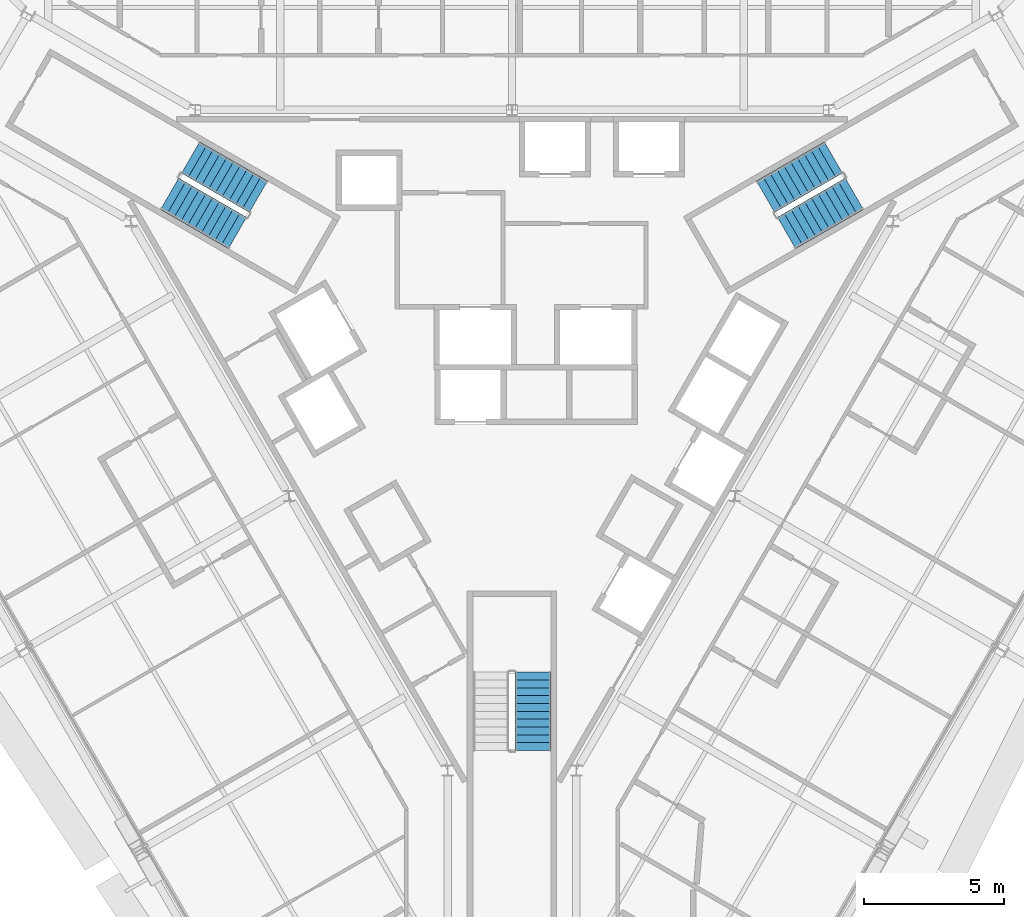
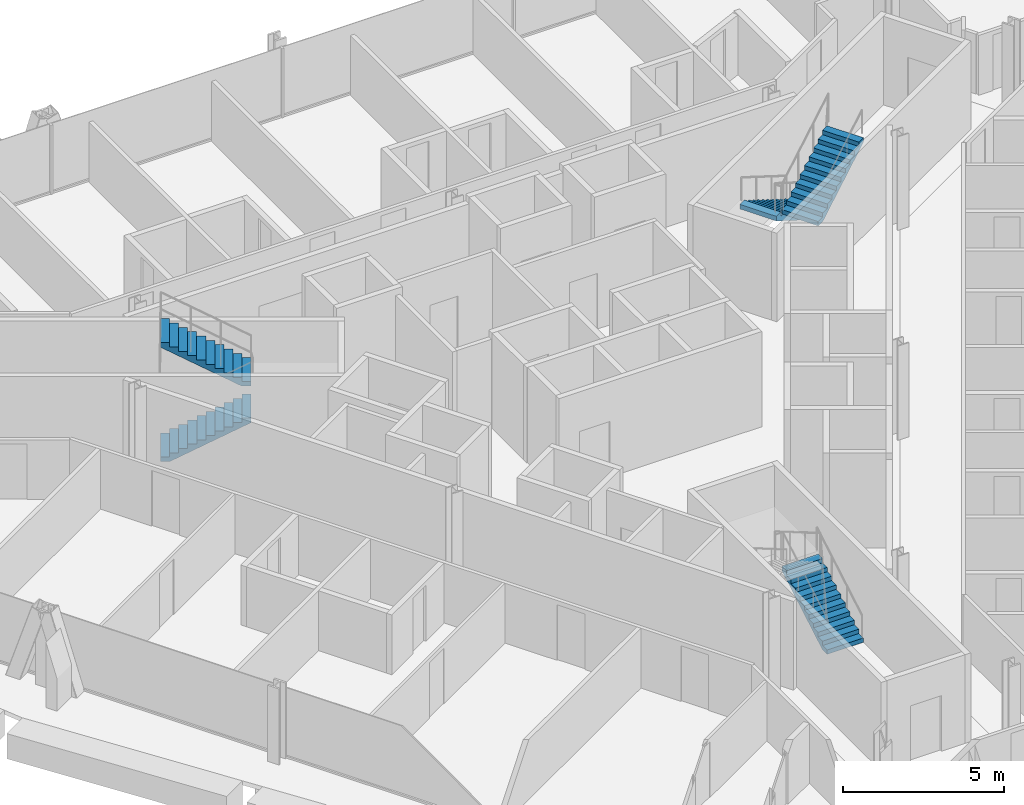
# One storey, part 15 of 17: 5 stair flights, 3 elements without a shape of their own.
"""IFC4 building model written with IfcOpenShell, lengths in metres."""

from ifc_helpers import new_model, si_unit, direction, frame, origin, place, context, subcontext, project, spatial, polyline, outline, extrude, material, type_object, element, aggregate, save


model = new_model("IFC4")

# Units and contexts
model_context = context("Model", 3, precision=1e-05, world=origin(), true_north=direction((0.0, 1.0)))
body_context = subcontext(model_context, "Body", "Model", "MODEL_VIEW")
ifc_project = project(units=[si_unit("LENGTHUNIT", "METRE"), si_unit("AREAUNIT", "SQUARE_METRE"), si_unit("VOLUMEUNIT", "CUBIC_METRE"), si_unit("PLANEANGLEUNIT", "RADIAN"), si_unit("MASSUNIT", "GRAM", prefix="KILO")], contexts=[model_context])

# Site, building, storey
site_placement = place(None, origin())
site = spatial("IfcSite", under=ifc_project, at=site_placement, CompositionType="ELEMENT")
building_placement = place(site_placement, origin())
building = spatial("IfcBuilding", under=site, at=building_placement, Name="Verrane Prism Tower", CompositionType="ELEMENT")
storey_placement = place(building_placement, frame((0.0, 0.0, 139.60009765625)))
storey = spatial("IfcBuildingStorey", under=building, at=storey_placement, Name="L34", CompositionType="ELEMENT", Elevation=139.60009765625)

# Stair, stair flights
ifc_material_1 = material(Name="Concrete C40/50", Category="concrete")
stair_type = type_object("IfcStairType", Name="Exit stair 1300 dog-leg precast concrete C40/50", PredefinedType="HALF_TURN_STAIR", material=ifc_material_1)
stair_1_placement = place(storey_placement, origin())
stair_1 = element("IfcStair", 1, at=stair_1_placement, inside=storey, type_object=stair_type, Name="Stair 1 L34", PredefinedType="HALF_TURN_STAIR")
ifc_material_2 = material(Name="Concrete C40/50", Category="concrete")
stair_flight_type = type_object("IfcStairFlightType", Name="Stair flight 1300 precast concrete C40/50", PredefinedType="STRAIGHT", material=ifc_material_2)
stair_flight_1_placement = place(storey_placement, frame((11.489501953125, 7.49951171875, 0.0), z_axis=(0.0, 0.0, 1.0), x_axis=(-0.866025403784, -0.5, 0.0)))
stair_flight_1 = element("IfcStairFlight", 2, at=stair_flight_1_placement, type_object=stair_flight_type, Name="Stair 1 flight 1", NumberOfRisers=11, NumberOfTreads=10, PredefinedType="STRAIGHT", RiserHeight=0.163636364, TreadLength=0.28, context=body_context, shape_type="SweptSolid", body=[
    extrude(outline(polyline([(0.0, 0.0), (0.0, 0.16357421875), (0.280029296875, 0.16357421875), (0.280029296875, 0.327392578125), (0.56005859375, 0.327392578125), (0.56005859375, 0.490966796875), (0.840087890625, 0.490966796875), (0.840087890625, 0.654541015625), (1.1201171875, 0.654541015625), (1.1201171875, 0.818115234375), (1.39990234375, 0.818115234375), (1.39990234375, 0.98193359375), (1.679931640625, 0.98193359375), (1.679931640625, 1.1455078125), (1.9599609375, 1.1455078125), (1.9599609375, 1.30908203125), (2.239990234375, 1.30908203125), (2.239990234375, 1.47265625), (2.52001953125, 1.47265625), (2.52001953125, 1.636474609375), (2.800048828125, 1.636474609375), (2.800048828125, 1.800048828125), (2.800048828125, 1.462646484375), (0.297119140625, 0.0), (0.0, 0.0)])), frame((0.0, 0.64990234375, 0.0), z_axis=(0.0, -1.0, 0.0), x_axis=(1.0, 0.0, 0.0)), (0.0, 0.0, 1.0), 1.300048828125),
])
stair_flight_2_placement = place(storey_placement, frame((9.814697265625, 4.800537109375, 1.7998046875), z_axis=(0.0, 0.0, 1.0), x_axis=(0.866025403784, 0.5, 0.0)))
stair_flight_2 = element("IfcStairFlight", 3, at=stair_flight_2_placement, type_object=stair_flight_type, Name="Stair 1 flight 2", NumberOfRisers=11, NumberOfTreads=10, PredefinedType="STRAIGHT", RiserHeight=0.163636364, TreadLength=0.28, context=body_context, shape_type="SweptSolid", body=[
    extrude(outline(polyline([(0.0, 0.0), (0.0, 0.16357421875), (0.280029296875, 0.16357421875), (0.280029296875, 0.327392578125), (0.56005859375, 0.327392578125), (0.56005859375, 0.490966796875), (0.840087890625, 0.490966796875), (0.840087890625, 0.654541015625), (1.1201171875, 0.654541015625), (1.1201171875, 0.818115234375), (1.39990234375, 0.818115234375), (1.39990234375, 0.98193359375), (1.679931640625, 0.98193359375), (1.679931640625, 1.1455078125), (1.9599609375, 1.1455078125), (1.9599609375, 1.30908203125), (2.239990234375, 1.30908203125), (2.239990234375, 1.47265625), (2.52001953125, 1.47265625), (2.52001953125, 1.636474609375), (2.800048828125, 1.636474609375), (2.800048828125, 1.800048828125), (2.800048828125, 1.462646484375), (0.297119140625, 0.0), (0.0, 0.0)])), frame((0.0, 0.64990234375, 0.0), z_axis=(0.0, -1.0, 0.0), x_axis=(1.0, 0.0, 0.0)), (0.0, 0.0, 1.0), 1.300048828125),
])
aggregate(stair_1, [stair_flight_1, stair_flight_2])

stair_2_placement = place(storey_placement, origin())
stair_2 = element("IfcStair", 4, at=stair_2_placement, inside=storey, type_object=stair_type, Name="Stair 2 L34", PredefinedType="HALF_TURN_STAIR")
stair_flight_3_placement = place(storey_placement, frame((-12.239501953125, 6.200439453125, 0.0), z_axis=(0.0, 0.0, 1.0), x_axis=(0.866025403784, -0.5, 0.0)))
stair_flight_3 = element("IfcStairFlight", 5, at=stair_flight_3_placement, type_object=stair_flight_type, Name="Stair 2 flight 1", NumberOfRisers=11, NumberOfTreads=10, PredefinedType="STRAIGHT", RiserHeight=0.163636364, TreadLength=0.28, context=body_context, shape_type="SweptSolid", body=[
    extrude(outline(polyline([(0.0, 0.0), (0.0, 0.16357421875), (0.280029296875, 0.16357421875), (0.280029296875, 0.327392578125), (0.56005859375, 0.327392578125), (0.56005859375, 0.490966796875), (0.840087890625, 0.490966796875), (0.840087890625, 0.654541015625), (1.1201171875, 0.654541015625), (1.1201171875, 0.818115234375), (1.39990234375, 0.818115234375), (1.39990234375, 0.98193359375), (1.679931640625, 0.98193359375), (1.679931640625, 1.1455078125), (1.9599609375, 1.1455078125), (1.9599609375, 1.30908203125), (2.239990234375, 1.30908203125), (2.239990234375, 1.47265625), (2.52001953125, 1.47265625), (2.52001953125, 1.636474609375), (2.800048828125, 1.636474609375), (2.800048828125, 1.800048828125), (2.800048828125, 1.462646484375), (0.297119140625, 0.0), (0.0, 0.0)])), frame((0.0, 0.64990234375, 0.0), z_axis=(0.0, -1.0, 0.0), x_axis=(1.0, 0.0, 0.0)), (0.0, 0.0, 1.0), 1.300048828125),
])
stair_flight_4_placement = place(storey_placement, frame((-9.064697265625, 6.099609375, 1.7998046875), z_axis=(0.0, 0.0, 1.0), x_axis=(-0.866025403784, 0.5, 0.0)))
stair_flight_4 = element("IfcStairFlight", 6, at=stair_flight_4_placement, type_object=stair_flight_type, Name="Stair 2 flight 2", NumberOfRisers=11, NumberOfTreads=10, PredefinedType="STRAIGHT", RiserHeight=0.163636364, TreadLength=0.28, context=body_context, shape_type="SweptSolid", body=[
    extrude(outline(polyline([(0.0, 0.0), (0.0, 0.16357421875), (0.280029296875, 0.16357421875), (0.280029296875, 0.327392578125), (0.56005859375, 0.327392578125), (0.56005859375, 0.490966796875), (0.840087890625, 0.490966796875), (0.840087890625, 0.654541015625), (1.1201171875, 0.654541015625), (1.1201171875, 0.818115234375), (1.39990234375, 0.818115234375), (1.39990234375, 0.98193359375), (1.679931640625, 0.98193359375), (1.679931640625, 1.1455078125), (1.9599609375, 1.1455078125), (1.9599609375, 1.30908203125), (2.239990234375, 1.30908203125), (2.239990234375, 1.47265625), (2.52001953125, 1.47265625), (2.52001953125, 1.636474609375), (2.800048828125, 1.636474609375), (2.800048828125, 1.800048828125), (2.800048828125, 1.462646484375), (0.297119140625, 0.0), (0.0, 0.0)])), frame((0.0, 0.64990234375, 0.0), z_axis=(0.0, -1.0, 0.0), x_axis=(1.0, 0.0, 0.0)), (0.0, 0.0, 1.0), 1.300048828125),
])
aggregate(stair_2, [stair_flight_3, stair_flight_4])

# Stair, stair flight
stair_3_placement = place(storey_placement, origin())
stair_3 = element("IfcStair", 7, at=stair_3_placement, inside=storey, type_object=stair_type, Name="Stair 3 L34", PredefinedType="HALF_TURN_STAIR")
stair_flight_5_placement = place(storey_placement, frame((0.75, -13.699951171875, 0.0), z_axis=(0.0, 0.0, 1.0), x_axis=(0.0, 1.0, 0.0)))
stair_flight_5 = element("IfcStairFlight", 8, at=stair_flight_5_placement, type_object=stair_flight_type, Name="Stair 3 flight 1", NumberOfRisers=11, NumberOfTreads=10, PredefinedType="STRAIGHT", RiserHeight=0.163636364, TreadLength=0.28, context=body_context, shape_type="SweptSolid", body=[
    extrude(outline(polyline([(0.0, 0.0), (0.0, 0.16357421875), (0.280029296875, 0.16357421875), (0.280029296875, 0.327392578125), (0.56005859375, 0.327392578125), (0.56005859375, 0.490966796875), (0.840087890625, 0.490966796875), (0.840087890625, 0.654541015625), (1.1201171875, 0.654541015625), (1.1201171875, 0.818115234375), (1.39990234375, 0.818115234375), (1.39990234375, 0.98193359375), (1.679931640625, 0.98193359375), (1.679931640625, 1.1455078125), (1.9599609375, 1.1455078125), (1.9599609375, 1.30908203125), (2.239990234375, 1.30908203125), (2.239990234375, 1.47265625), (2.52001953125, 1.47265625), (2.52001953125, 1.636474609375), (2.800048828125, 1.636474609375), (2.800048828125, 1.800048828125), (2.800048828125, 1.462646484375), (0.297119140625, 0.0), (0.0, 0.0)])), frame((0.0, 0.64990234375, 0.0), z_axis=(0.0, -1.0, 0.0), x_axis=(1.0, 0.0, 0.0)), (0.0, 0.0, 1.0), 1.300048828125),
])
aggregate(stair_3, [stair_flight_5])

save(model, "model.ifc")
